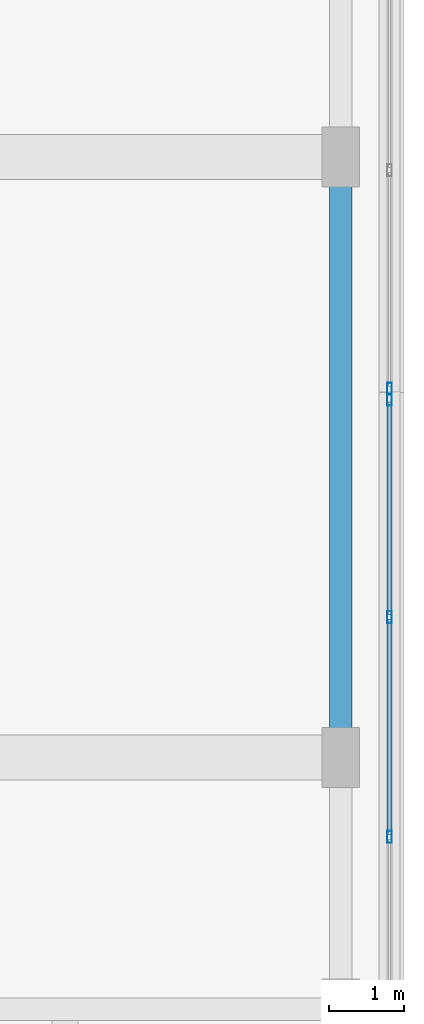
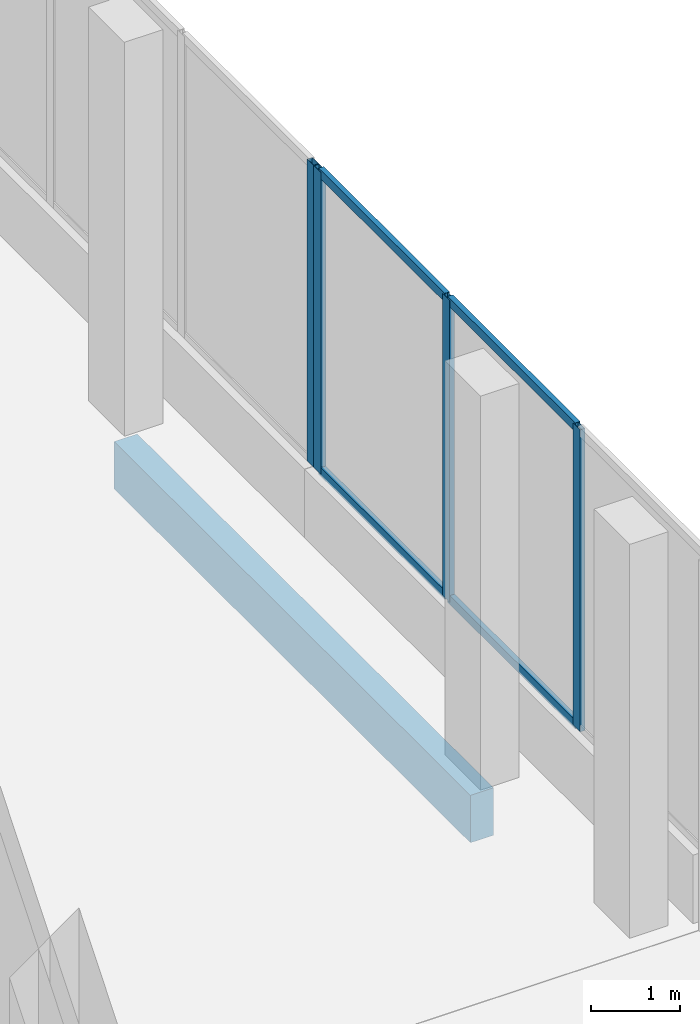
# One storey, part 110 of 158: 8 members, 1 beam, 2 elements without a shape of their own.
"""IFC4 building model written with IfcOpenShell, lengths in metres."""

from ifc_helpers import new_model, si_unit, direction, frame, origin, origin_2d, place, context, subcontext, project, spatial, rectangle, hollow_rectangle, extrude, material, material_profile, profile_set, type_object, element, aggregate, save


model = new_model("IFC4")

# Units and contexts
model_context = context("Model", 3, precision=1e-05, world=origin(), true_north=direction((0.0, 1.0)))
body_context = subcontext(model_context, "Body", "Model", "MODEL_VIEW")
ifc_project = project(units=[si_unit("LENGTHUNIT", "METRE"), si_unit("AREAUNIT", "SQUARE_METRE"), si_unit("VOLUMEUNIT", "CUBIC_METRE"), si_unit("PLANEANGLEUNIT", "RADIAN"), si_unit("MASSUNIT", "GRAM", prefix="KILO")], contexts=[model_context])

# Site, building, storey
site_placement = place(None, origin())
site = spatial("IfcSite", under=ifc_project, at=site_placement, CompositionType="ELEMENT")
building_placement = place(site_placement, origin())
building = spatial("IfcBuilding", under=site, at=building_placement, Name="Selatvlak General Hospital", CompositionType="ELEMENT")
storey_placement = place(building_placement, origin())
storey = spatial("IfcBuildingStorey", under=building, at=storey_placement, Name="L00", CompositionType="ELEMENT", Elevation=0.0)

# Beam
ifc_material_1 = material(Name="Concrete C40/50", Category="concrete")
ifc_material_profile_1 = material_profile(ifc_material_1, rectangle(XDim=0.300048828125, YDim=0.64990234375, at=origin_2d()), Name="RC-SP 300x650")
ifc_profile_set_1 = profile_set([ifc_material_profile_1], Name="Concrete C40/50")
beam_type = type_object("IfcBeamType", Name="BM-SP1", PredefinedType="SPANDREL", material=ifc_profile_set_1)
beam_placement = place(storey_placement, frame((181.35009765625, 92.0, -0.675048828125), z_axis=(0.0, 1.0, 0.0), x_axis=(-1.0, 0.0, 0.0)))
element("IfcBeam", 1, at=beam_placement, inside=storey, type_object=beam_type, Name="Beam BMR-L00-0308", PredefinedType="SPANDREL", context=body_context, shape_type="SweptSolid", body=[
    extrude(rectangle(XDim=0.300048828125, YDim=0.64990234375, at=origin_2d()), origin(), (0.0, 0.0, 1.0), 8.0),
])

# Curtain wall, member
ifc_material_2 = material(Name="Solar-control Low-E double glazing", Category="glass")
curtain_wall_type_1 = type_object("IfcCurtainWallType", Name="CW-CW-01", PredefinedType="USERDEFINED", material=ifc_material_2)
curtain_wall_1_placement = place(storey_placement, origin())
curtain_wall_1 = element("IfcCurtainWall", 2, at=curtain_wall_1_placement, inside=storey, type_object=curtain_wall_type_1, Name="Glazed facade curtain wall CW-L00-0014", ObjectType="UNITISED CURTAIN WALL", PredefinedType="USERDEFINED")
ifc_material_3 = material(Name="Dark anodised aluminium mullion", Category="aluminium")
ifc_material_profile_2 = material_profile(ifc_material_3, hollow_rectangle(XDim=0.06494140625, YDim=0.159912109375, WallThickness=0.00390625, at=origin_2d()), Name="AL-MUL 65x160x4")
ifc_profile_set_2 = profile_set([ifc_material_profile_2], Name="Dark anodised aluminium mullion")
member_type_1 = type_object("IfcMemberType", Name="CWM-01", PredefinedType="MULLION", material=ifc_profile_set_2)
member_1_placement = place(storey_placement, frame((182.0, 96.91455078125, 0.93994140625), z_axis=(0.0, 0.0, 1.0), x_axis=(0.999999993597, 0.000113160569, 0.0)))
member_1 = element("IfcMember", 3, at=member_1_placement, type_object=member_type_1, Name="CW-01 mullion 4", PredefinedType="MULLION", context=body_context, shape_type="SweptSolid", body=[
    extrude(hollow_rectangle(XDim=0.06494140625, YDim=0.159912109375, WallThickness=0.00390625, at=origin_2d()), origin(), (0.0, 0.0, 1.0), 4.14013671875),
])
aggregate(curtain_wall_1, [member_1])

# Curtain wall, members
curtain_wall_type_2 = type_object("IfcCurtainWallType", Name="CW-CW-02", PredefinedType="USERDEFINED", material=ifc_material_2)
curtain_wall_2_placement = place(storey_placement, origin())
curtain_wall_2 = element("IfcCurtainWall", 4, at=curtain_wall_2_placement, inside=storey, type_object=curtain_wall_type_2, Name="Glazed facade curtain wall CW-L00-0015", ObjectType="UNITISED CURTAIN WALL", PredefinedType="USERDEFINED")
member_2_placement = place(storey_placement, frame((182.0, 96.76953125, 0.93994140625), z_axis=(0.0, 0.0, 1.0), x_axis=(1.0, 0.0, 0.0)))
member_2 = element("IfcMember", 5, at=member_2_placement, type_object=member_type_1, Name="CW-02 mullion 1", PredefinedType="MULLION", context=body_context, shape_type="SweptSolid", body=[
    extrude(hollow_rectangle(XDim=0.06494140625, YDim=0.159912109375, WallThickness=0.00390625, at=origin_2d()), origin(), (0.0, 0.0, 1.0), 4.14013671875),
])
member_3_placement = place(storey_placement, frame((182.0, 93.873291015625, 0.93994140625), z_axis=(0.0, 0.0, 1.0), x_axis=(1.0, 0.0, 0.0)))
member_3 = element("IfcMember", 6, at=member_3_placement, type_object=member_type_1, Name="CW-02 mullion 2", PredefinedType="MULLION", context=body_context, shape_type="SweptSolid", body=[
    extrude(hollow_rectangle(XDim=0.06494140625, YDim=0.159912109375, WallThickness=0.00390625, at=origin_2d()), origin(), (0.0, 0.0, 1.0), 4.14013671875),
])
member_4_placement = place(storey_placement, frame((182.0, 90.944580078125, 0.93994140625), z_axis=(0.0, 0.0, 1.0), x_axis=(1.0, 0.0, 0.0)))
member_4 = element("IfcMember", 7, at=member_4_placement, type_object=member_type_1, Name="CW-02 mullion 3", PredefinedType="MULLION", context=body_context, shape_type="SweptSolid", body=[
    extrude(hollow_rectangle(XDim=0.06494140625, YDim=0.159912109375, WallThickness=0.00390625, at=origin_2d()), origin(), (0.0, 0.0, 1.0), 4.14013671875),
])
ifc_material_profile_3 = material_profile(ifc_material_3, hollow_rectangle(XDim=0.06494140625, YDim=0.1201171875, WallThickness=0.00390625, at=origin_2d()), Name="AL-TRN 65x120x4")
ifc_profile_set_3 = profile_set([ifc_material_profile_3], Name="Dark anodised aluminium mullion")
member_type_2 = type_object("IfcMemberType", Name="CWT-01", PredefinedType="USERDEFINED", material=ifc_profile_set_3)
member_5_placement = place(storey_placement, frame((182.0, 96.737060546875, 0.972412109375), z_axis=(0.0, -1.0, 0.0), x_axis=(1.0, 0.0, 0.0)))
member_5 = element("IfcMember", 8, at=member_5_placement, type_object=member_type_2, Name="CW-02 transom 1.1", ObjectType="TRANSOM", PredefinedType="USERDEFINED", context=body_context, shape_type="SweptSolid", body=[
    extrude(hollow_rectangle(XDim=0.06494140625, YDim=0.1201171875, WallThickness=0.00390625, at=origin_2d()), origin(), (0.0, 0.0, 1.0), 2.831298828125),
])
member_6_placement = place(storey_placement, frame((182.0, 96.737060546875, 5.047607421875), z_axis=(0.0, -1.0, 0.0), x_axis=(1.0, 0.0, 0.0)))
member_6 = element("IfcMember", 9, at=member_6_placement, type_object=member_type_2, Name="CW-02 transom 1.2", ObjectType="TRANSOM", PredefinedType="USERDEFINED", context=body_context, shape_type="SweptSolid", body=[
    extrude(hollow_rectangle(XDim=0.06494140625, YDim=0.1201171875, WallThickness=0.00390625, at=origin_2d()), origin(), (0.0, 0.0, 1.0), 2.831298828125),
])
member_7_placement = place(storey_placement, frame((182.0, 93.8408203125, 0.972412109375), z_axis=(0.0, -1.0, 0.0), x_axis=(1.0, 0.0, 0.0)))
member_7 = element("IfcMember", 10, at=member_7_placement, type_object=member_type_2, Name="CW-02 transom 2.1", ObjectType="TRANSOM", PredefinedType="USERDEFINED", context=body_context, shape_type="SweptSolid", body=[
    extrude(hollow_rectangle(XDim=0.06494140625, YDim=0.1201171875, WallThickness=0.00390625, at=origin_2d()), origin(), (0.0, 0.0, 1.0), 2.86376953125),
])
member_8_placement = place(storey_placement, frame((182.0, 93.8408203125, 5.047607421875), z_axis=(0.0, -1.0, 0.0), x_axis=(1.0, 0.0, 0.0)))
member_8 = element("IfcMember", 11, at=member_8_placement, type_object=member_type_2, Name="CW-02 transom 2.2", ObjectType="TRANSOM", PredefinedType="USERDEFINED", context=body_context, shape_type="SweptSolid", body=[
    extrude(hollow_rectangle(XDim=0.06494140625, YDim=0.1201171875, WallThickness=0.00390625, at=origin_2d()), origin(), (0.0, 0.0, 1.0), 2.86376953125),
])
aggregate(curtain_wall_2, [member_2, member_3, member_4, member_5, member_6, member_7, member_8])

save(model, "model.ifc")
